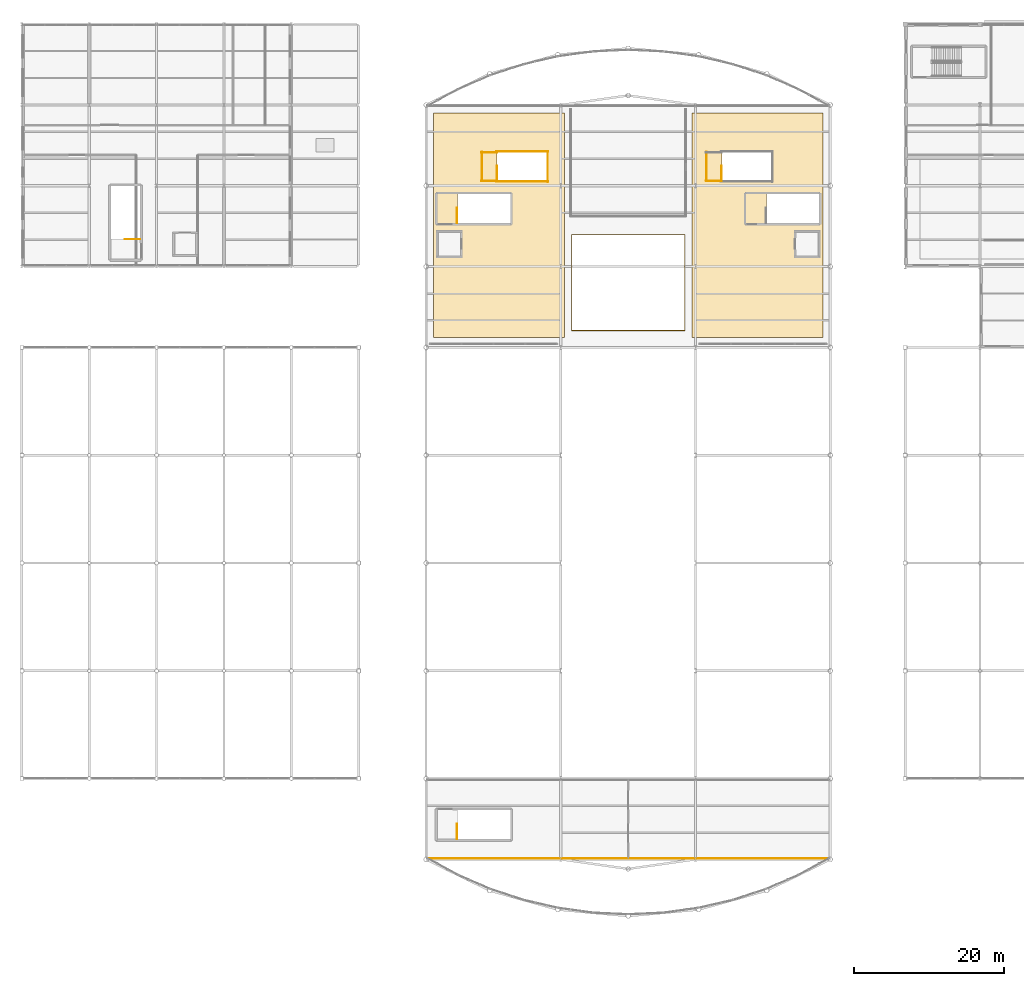
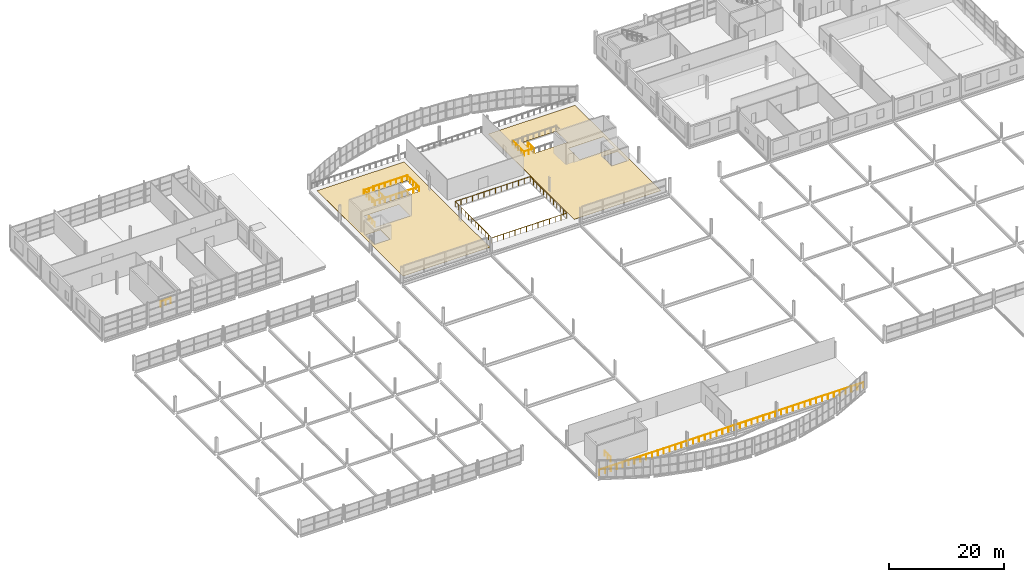
# One storey, part 128 of 134: 15 railings, 2 coverings.
"""IFC4 building model written with IfcOpenShell, lengths in metres."""

from ifc_helpers import new_model, si_unit, direction, frame, origin, origin_2d, place, context, subcontext, project, spatial, polyline, circle, outline, extrude, material, layer, layer_set, type_object, element, save


model = new_model("IFC4")

# Units and contexts
model_context = context("Model", 3, precision=1e-05, world=origin(), true_north=direction((0.0, 1.0)))
body_context = subcontext(model_context, "Body", "Model", "MODEL_VIEW")
ifc_project = project(units=[si_unit("LENGTHUNIT", "METRE"), si_unit("AREAUNIT", "SQUARE_METRE"), si_unit("VOLUMEUNIT", "CUBIC_METRE"), si_unit("PLANEANGLEUNIT", "RADIAN"), si_unit("MASSUNIT", "GRAM", prefix="KILO")], contexts=[model_context])

# Site, building, storey
site_placement = place(None, origin())
site = spatial("IfcSite", under=ifc_project, at=site_placement, CompositionType="ELEMENT")
building_placement = place(site_placement, origin())
building = spatial("IfcBuilding", under=site, at=building_placement, Name="Tamarisk Ironworks Central Station", CompositionType="ELEMENT")
storey_placement = place(building_placement, frame((0.0, 0.0, 12.60009765625)))
storey = spatial("IfcBuildingStorey", under=building, at=storey_placement, Name="L02", CompositionType="ELEMENT", Elevation=12.60009765625)

# Coverings
ifc_material_1 = material(Name="Granite tactile platform paving", Category="masonry")
ifc_layer = layer(ifc_material_1, 0.02490234375)
ifc_layer_set = layer_set([ifc_layer], Name="Granite tactile platform paving")
covering_type = type_object("IfcCoveringType", Name="COV-FLOOR-GR", PredefinedType="FLOORING", material=ifc_layer_set)
covering_1_placement = place(storey_placement, origin())
element("IfcCovering", 1, at=covering_1_placement, inside=storey, type_object=covering_type, Name="L02 granite/terrazzo floor finish 007", PredefinedType="FLOORING", context=body_context, shape_type="SweptSolid", body=[
    extrude(outline(polyline([(55.0, 80.5), (72.5, 80.5), (72.5, 110.5), (55.0, 110.5), (55.0, 80.5)]), holes=[polyline([(58.199951171875, 95.800048828125), (65.25, 95.800048828125), (65.25, 99.699951171875), (58.199951171875, 99.699951171875), (58.199951171875, 95.800048828125)]), polyline([(63.5, 101.39990234375), (70.199951171875, 101.39990234375), (70.199951171875, 105.300048828125), (63.5, 105.300048828125), (63.5, 101.39990234375)]), polyline([(55.60009765625, 91.39990234375), (58.60009765625, 91.39990234375), (58.60009765625, 94.60009765625), (55.60009765625, 94.60009765625), (55.60009765625, 91.39990234375)])]), origin(), (0.0, 0.0, 1.0), 0.02490234375),
])
covering_2_placement = place(storey_placement, origin())
element("IfcCovering", 2, at=covering_2_placement, inside=storey, type_object=covering_type, Name="L02 granite/terrazzo floor finish 008", PredefinedType="FLOORING", context=body_context, shape_type="SweptSolid", body=[
    extrude(outline(polyline([(89.5, 80.5), (107.0, 80.5), (107.0, 110.5), (89.5, 110.5), (89.5, 80.5)]), holes=[polyline([(99.449951171875, 95.800048828125), (106.5, 95.800048828125), (106.5, 99.699951171875), (99.449951171875, 99.699951171875), (99.449951171875, 95.800048828125)]), polyline([(93.5, 101.39990234375), (100.199951171875, 101.39990234375), (100.199951171875, 105.300048828125), (93.5, 105.300048828125), (93.5, 101.39990234375)]), polyline([(103.39990234375, 91.39990234375), (106.39990234375, 91.39990234375), (106.39990234375, 94.60009765625), (103.39990234375, 94.60009765625), (103.39990234375, 91.39990234375)])]), origin(), (0.0, 0.0, 1.0), 0.02490234375),
])

# Railings
ifc_material_2 = material(Name="Laminated solar-control low-E glass", Category="glass")
railing_type_1 = type_object("IfcRailingType", Name="RL-GUARD-GLASS", PredefinedType="BALUSTRADE", material=ifc_material_2)
railing_1_placement = place(storey_placement, frame((63.449951171875, 101.39990234375, 0.0)))
element("IfcRailing", 3, at=railing_1_placement, inside=storey, type_object=railing_type_1, Name="L02 ST-MZ1 top well guard 1", PredefinedType="BALUSTRADE", context=body_context, shape_type="SweptSolid", body=[
    extrude(circle(Radius=0.02392578125, at=origin_2d()), frame((0.0, 0.0, 1.076171875), z_axis=(0.0, 1.0, 0.0), x_axis=(-1.0, 0.0, 0.0)), (0.0, 0.0, 1.0), 2.050048828125),
    extrude(circle(Radius=0.02099609375, at=origin_2d()), origin(), (0.0, 0.0, 1.0), 1.052001953125),
    extrude(circle(Radius=0.02099609375, at=origin_2d()), frame((0.0, 1.02490234375, 0.0)), (0.0, 0.0, 1.0), 1.052001953125),
    extrude(circle(Radius=0.02099609375, at=origin_2d()), frame((0.0, 2.050048828125, 0.0)), (0.0, 0.0, 1.0), 1.052001953125),
])
for number, where, name in (
    (4, (63.39990234375, 101.35009765625, 0.0), "L02 ST-MZ1 top well guard 2"),
    (5, (63.39990234375, 105.35009765625, 0.0), "L02 ST-MZ1 top well guard 3"),
):
    element("IfcRailing", number, at=place(storey_placement, frame(where)), inside=storey, type_object=railing_type_1, Name=name, PredefinedType="BALUSTRADE", context=body_context, shape_type="SweptSolid", body=[
        extrude(circle(Radius=0.02392578125, at=origin_2d()), frame((0.0, 0.0, 1.076171875), z_axis=(1.0, 0.0, 0.0), x_axis=(0.0, 1.0, 0.0)), (0.0, 0.0, 1.0), 6.900146484375),
        extrude(circle(Radius=0.02099609375, at=origin_2d()), origin(), (0.0, 0.0, 1.0), 1.052001953125),
        extrude(circle(Radius=0.02099609375, at=origin_2d()), frame((1.14990234375, 0.0, 0.0)), (0.0, 0.0, 1.0), 1.052001953125),
        extrude(circle(Radius=0.02099609375, at=origin_2d()), frame((2.300048828125, 0.0, 0.0)), (0.0, 0.0, 1.0), 1.052001953125),
        extrude(circle(Radius=0.02099609375, at=origin_2d()), frame((3.4501953125, 0.0, 0.0)), (0.0, 0.0, 1.0), 1.052001953125),
        extrude(circle(Radius=0.02099609375, at=origin_2d()), frame((4.60009765625, 0.0, 0.0)), (0.0, 0.0, 1.0), 1.052001953125),
        extrude(circle(Radius=0.02099609375, at=origin_2d()), frame((5.75, 0.0, 0.0)), (0.0, 0.0, 1.0), 1.052001953125),
        extrude(circle(Radius=0.02099609375, at=origin_2d()), frame((6.900146484375, 0.0, 0.0)), (0.0, 0.0, 1.0), 1.052001953125),
    ])
railing_2_placement = place(storey_placement, frame((70.25, 101.300048828125, 0.0)))
element("IfcRailing", 6, at=railing_2_placement, inside=storey, type_object=railing_type_1, Name="L02 ST-MZ1 top well guard 4", PredefinedType="BALUSTRADE", context=body_context, shape_type="SweptSolid", body=[
    extrude(circle(Radius=0.02392578125, at=origin_2d()), frame((0.0, 0.0, 1.076171875), z_axis=(0.0, 1.0, 0.0), x_axis=(-1.0, 0.0, 0.0)), (0.0, 0.0, 1.0), 4.099853515625),
    extrude(circle(Radius=0.02099609375, at=origin_2d()), origin(), (0.0, 0.0, 1.0), 1.052001953125),
    extrude(circle(Radius=0.02099609375, at=origin_2d()), frame((0.0, 1.02490234375, 0.0)), (0.0, 0.0, 1.0), 1.052001953125),
    extrude(circle(Radius=0.02099609375, at=origin_2d()), frame((0.0, 2.0498046875, 0.0)), (0.0, 0.0, 1.0), 1.052001953125),
    extrude(circle(Radius=0.02099609375, at=origin_2d()), frame((0.0, 3.074951171875, 0.0)), (0.0, 0.0, 1.0), 1.052001953125),
    extrude(circle(Radius=0.02099609375, at=origin_2d()), frame((0.0, 4.099853515625, 0.0)), (0.0, 0.0, 1.0), 1.052001953125),
])
for number, where, name in (
    (7, (61.39990234375, 101.449951171875, 0.0), "L02 ST-MZ1 top well guard 5"),
    (8, (61.39990234375, 105.25, 0.0), "L02 ST-MZ1 top well guard 6"),
):
    element("IfcRailing", number, at=place(storey_placement, frame(where)), inside=storey, type_object=railing_type_1, Name=name, PredefinedType="BALUSTRADE", context=body_context, shape_type="SweptSolid", body=[
        extrude(circle(Radius=0.02392578125, at=origin_2d()), frame((0.0, 0.0, 1.076171875), z_axis=(1.0, 0.0, 0.0), x_axis=(0.0, 1.0, 0.0)), (0.0, 0.0, 1.0), 2.10009765625),
        extrude(circle(Radius=0.02099609375, at=origin_2d()), origin(), (0.0, 0.0, 1.0), 1.052001953125),
        extrude(circle(Radius=0.02099609375, at=origin_2d()), frame((1.050048828125, 0.0, 0.0)), (0.0, 0.0, 1.0), 1.052001953125),
        extrude(circle(Radius=0.02099609375, at=origin_2d()), frame((2.10009765625, 0.0, 0.0)), (0.0, 0.0, 1.0), 1.052001953125),
    ])
railing_3_placement = place(storey_placement, frame((61.449951171875, 101.39990234375, 0.0)))
element("IfcRailing", 9, at=railing_3_placement, inside=storey, type_object=railing_type_1, Name="L02 ST-MZ1 top well guard 7", PredefinedType="BALUSTRADE", context=body_context, shape_type="SweptSolid", body=[
    extrude(circle(Radius=0.02392578125, at=origin_2d()), frame((0.0, 0.0, 1.076171875), z_axis=(0.0, 1.0, 0.0), x_axis=(-1.0, 0.0, 0.0)), (0.0, 0.0, 1.0), 3.900146484375),
    extrude(circle(Radius=0.02099609375, at=origin_2d()), origin(), (0.0, 0.0, 1.0), 1.052001953125),
    extrude(circle(Radius=0.02099609375, at=origin_2d()), frame((0.0, 0.97509765625, 0.0)), (0.0, 0.0, 1.0), 1.052001953125),
    extrude(circle(Radius=0.02099609375, at=origin_2d()), frame((0.0, 1.9501953125, 0.0)), (0.0, 0.0, 1.0), 1.052001953125),
    extrude(circle(Radius=0.02099609375, at=origin_2d()), frame((0.0, 2.925048828125, 0.0)), (0.0, 0.0, 1.0), 1.052001953125),
    extrude(circle(Radius=0.02099609375, at=origin_2d()), frame((0.0, 3.900146484375, 0.0)), (0.0, 0.0, 1.0), 1.052001953125),
])
railing_4_placement = place(storey_placement, frame((93.449951171875, 101.39990234375, 0.0)))
element("IfcRailing", 10, at=railing_4_placement, inside=storey, type_object=railing_type_1, Name="L02 ST-MZ2 top well guard 1", PredefinedType="BALUSTRADE", context=body_context, shape_type="SweptSolid", body=[
    extrude(circle(Radius=0.02392578125, at=origin_2d()), frame((0.0, 0.0, 1.076171875), z_axis=(0.0, 1.0, 0.0), x_axis=(-1.0, 0.0, 0.0)), (0.0, 0.0, 1.0), 2.050048828125),
    extrude(circle(Radius=0.02099609375, at=origin_2d()), origin(), (0.0, 0.0, 1.0), 1.052001953125),
    extrude(circle(Radius=0.02099609375, at=origin_2d()), frame((0.0, 1.02490234375, 0.0)), (0.0, 0.0, 1.0), 1.052001953125),
    extrude(circle(Radius=0.02099609375, at=origin_2d()), frame((0.0, 2.050048828125, 0.0)), (0.0, 0.0, 1.0), 1.052001953125),
])
railing_5_placement = place(storey_placement, frame((91.39990234375, 101.449951171875, 0.0)))
element("IfcRailing", 11, at=railing_5_placement, inside=storey, type_object=railing_type_1, Name="L02 ST-MZ2 top well guard 5", PredefinedType="BALUSTRADE", context=body_context, shape_type="SweptSolid", body=[
    extrude(circle(Radius=0.02392578125, at=origin_2d()), frame((0.0, 0.0, 1.076171875), z_axis=(1.0, 0.0, 0.0), x_axis=(0.0, 1.0, 0.0)), (0.0, 0.0, 1.0), 2.10009765625),
    extrude(circle(Radius=0.02099609375, at=origin_2d()), origin(), (0.0, 0.0, 1.0), 1.052001953125),
    extrude(circle(Radius=0.02099609375, at=origin_2d()), frame((1.050048828125, 0.0, 0.0)), (0.0, 0.0, 1.0), 1.052001953125),
    extrude(circle(Radius=0.02099609375, at=origin_2d()), frame((2.10009765625, 0.0, 0.0)), (0.0, 0.0, 1.0), 1.052001953125),
])
railing_6_placement = place(storey_placement, frame((91.449951171875, 101.39990234375, 0.0)))
element("IfcRailing", 12, at=railing_6_placement, inside=storey, type_object=railing_type_1, Name="L02 ST-MZ2 top well guard 7", PredefinedType="BALUSTRADE", context=body_context, shape_type="SweptSolid", body=[
    extrude(circle(Radius=0.02392578125, at=origin_2d()), frame((0.0, 0.0, 1.076171875), z_axis=(0.0, 1.0, 0.0), x_axis=(-1.0, 0.0, 0.0)), (0.0, 0.0, 1.0), 3.900146484375),
    extrude(circle(Radius=0.02099609375, at=origin_2d()), origin(), (0.0, 0.0, 1.0), 1.052001953125),
    extrude(circle(Radius=0.02099609375, at=origin_2d()), frame((0.0, 0.97509765625, 0.0)), (0.0, 0.0, 1.0), 1.052001953125),
    extrude(circle(Radius=0.02099609375, at=origin_2d()), frame((0.0, 1.9501953125, 0.0)), (0.0, 0.0, 1.0), 1.052001953125),
    extrude(circle(Radius=0.02099609375, at=origin_2d()), frame((0.0, 2.925048828125, 0.0)), (0.0, 0.0, 1.0), 1.052001953125),
    extrude(circle(Radius=0.02099609375, at=origin_2d()), frame((0.0, 3.900146484375, 0.0)), (0.0, 0.0, 1.0), 1.052001953125),
])
railing_7_placement = place(storey_placement, frame((73.449951171875, 81.449951171875, 0.0)))
element("IfcRailing", 13, at=railing_7_placement, inside=storey, type_object=railing_type_1, Name="L02 mezzanine central atrium balustrade", PredefinedType="BALUSTRADE", context=body_context, shape_type="SweptSolid", body=[
    extrude(circle(Radius=0.02392578125, at=origin_2d()), frame((0.0, 0.0, 1.1259765625), z_axis=(1.0, 0.0, 0.0), x_axis=(0.0, 1.0, 0.0)), (0.0, 0.0, 1.0), 15.10009765625),
    extrude(circle(Radius=0.02392578125, at=origin_2d()), frame((15.10009765625, 0.0, 1.1259765625), z_axis=(0.0, 1.0, 0.0), x_axis=(-1.0, 0.0, 0.0)), (0.0, 0.0, 1.0), 12.800048828125),
    extrude(circle(Radius=0.02392578125, at=origin_2d()), frame((15.10009765625, 12.800048828125, 1.1259765625), z_axis=(-1.0, 0.0, 0.0), x_axis=(0.0, -1.0, 0.0)), (0.0, 0.0, 1.0), 15.10009765625),
    extrude(circle(Radius=0.02392578125, at=origin_2d()), frame((0.0, 12.800048828125, 1.1259765625), z_axis=(0.0, -1.0, 0.0), x_axis=(1.0, 0.0, 0.0)), (0.0, 0.0, 1.0), 12.800048828125),
    extrude(circle(Radius=0.02099609375, at=origin_2d()), origin(), (0.0, 0.0, 1.0), 1.101806640625),
    extrude(circle(Radius=0.02099609375, at=origin_2d()), frame((1.16162109375, 0.0, 0.0)), (0.0, 0.0, 1.0), 1.101806640625),
    extrude(circle(Radius=0.02099609375, at=origin_2d()), frame((2.322998046875, 0.0, 0.0)), (0.0, 0.0, 1.0), 1.101806640625),
    extrude(circle(Radius=0.02099609375, at=origin_2d()), frame((3.484619140625, 0.0, 0.0)), (0.0, 0.0, 1.0), 1.101806640625),
    extrude(circle(Radius=0.02099609375, at=origin_2d()), frame((4.646240234375, 0.0, 0.0)), (0.0, 0.0, 1.0), 1.101806640625),
    extrude(circle(Radius=0.02099609375, at=origin_2d()), frame((5.8076171875, 0.0, 0.0)), (0.0, 0.0, 1.0), 1.101806640625),
    extrude(circle(Radius=0.02099609375, at=origin_2d()), frame((6.96923828125, 0.0, 0.0)), (0.0, 0.0, 1.0), 1.101806640625),
    extrude(circle(Radius=0.02099609375, at=origin_2d()), frame((8.130859375, 0.0, 0.0)), (0.0, 0.0, 1.0), 1.101806640625),
    extrude(circle(Radius=0.02099609375, at=origin_2d()), frame((9.29248046875, 0.0, 0.0)), (0.0, 0.0, 1.0), 1.101806640625),
    extrude(circle(Radius=0.02099609375, at=origin_2d()), frame((10.453857421875, 0.0, 0.0)), (0.0, 0.0, 1.0), 1.101806640625),
    extrude(circle(Radius=0.02099609375, at=origin_2d()), frame((11.615478515625, 0.0, 0.0)), (0.0, 0.0, 1.0), 1.101806640625),
    extrude(circle(Radius=0.02099609375, at=origin_2d()), frame((12.777099609375, 0.0, 0.0)), (0.0, 0.0, 1.0), 1.101806640625),
    extrude(circle(Radius=0.02099609375, at=origin_2d()), frame((13.9384765625, 0.0, 0.0)), (0.0, 0.0, 1.0), 1.101806640625),
    extrude(circle(Radius=0.02099609375, at=origin_2d()), frame((15.10009765625, 0.0, 0.0)), (0.0, 0.0, 1.0), 1.101806640625),
    extrude(circle(Radius=0.02099609375, at=origin_2d()), frame((15.10009765625, 1.16357421875, 0.0)), (0.0, 0.0, 1.0), 1.101806640625),
    extrude(circle(Radius=0.02099609375, at=origin_2d()), frame((15.10009765625, 2.327392578125, 0.0)), (0.0, 0.0, 1.0), 1.101806640625),
    extrude(circle(Radius=0.02099609375, at=origin_2d()), frame((15.10009765625, 3.490966796875, 0.0)), (0.0, 0.0, 1.0), 1.101806640625),
    extrude(circle(Radius=0.02099609375, at=origin_2d()), frame((15.10009765625, 4.654541015625, 0.0)), (0.0, 0.0, 1.0), 1.101806640625),
    extrude(circle(Radius=0.02099609375, at=origin_2d()), frame((15.10009765625, 5.818115234375, 0.0)), (0.0, 0.0, 1.0), 1.101806640625),
    extrude(circle(Radius=0.02099609375, at=origin_2d()), frame((15.10009765625, 6.98193359375, 0.0)), (0.0, 0.0, 1.0), 1.101806640625),
    extrude(circle(Radius=0.02099609375, at=origin_2d()), frame((15.10009765625, 8.1455078125, 0.0)), (0.0, 0.0, 1.0), 1.101806640625),
    extrude(circle(Radius=0.02099609375, at=origin_2d()), frame((15.10009765625, 9.30908203125, 0.0)), (0.0, 0.0, 1.0), 1.101806640625),
    extrude(circle(Radius=0.02099609375, at=origin_2d()), frame((15.10009765625, 10.47265625, 0.0)), (0.0, 0.0, 1.0), 1.101806640625),
    extrude(circle(Radius=0.02099609375, at=origin_2d()), frame((15.10009765625, 11.636474609375, 0.0)), (0.0, 0.0, 1.0), 1.101806640625),
    extrude(circle(Radius=0.02099609375, at=origin_2d()), frame((15.10009765625, 12.800048828125, 0.0)), (0.0, 0.0, 1.0), 1.101806640625),
    extrude(circle(Radius=0.02099609375, at=origin_2d()), frame((13.9384765625, 12.800048828125, 0.0)), (0.0, 0.0, 1.0), 1.101806640625),
    extrude(circle(Radius=0.02099609375, at=origin_2d()), frame((12.777099609375, 12.800048828125, 0.0)), (0.0, 0.0, 1.0), 1.101806640625),
    extrude(circle(Radius=0.02099609375, at=origin_2d()), frame((11.615478515625, 12.800048828125, 0.0)), (0.0, 0.0, 1.0), 1.101806640625),
    extrude(circle(Radius=0.02099609375, at=origin_2d()), frame((10.453857421875, 12.800048828125, 0.0)), (0.0, 0.0, 1.0), 1.101806640625),
    extrude(circle(Radius=0.02099609375, at=origin_2d()), frame((9.29248046875, 12.800048828125, 0.0)), (0.0, 0.0, 1.0), 1.101806640625),
    extrude(circle(Radius=0.02099609375, at=origin_2d()), frame((8.130859375, 12.800048828125, 0.0)), (0.0, 0.0, 1.0), 1.101806640625),
    extrude(circle(Radius=0.02099609375, at=origin_2d()), frame((6.96923828125, 12.800048828125, 0.0)), (0.0, 0.0, 1.0), 1.101806640625),
    extrude(circle(Radius=0.02099609375, at=origin_2d()), frame((5.8076171875, 12.800048828125, 0.0)), (0.0, 0.0, 1.0), 1.101806640625),
    extrude(circle(Radius=0.02099609375, at=origin_2d()), frame((4.646240234375, 12.800048828125, 0.0)), (0.0, 0.0, 1.0), 1.101806640625),
    extrude(circle(Radius=0.02099609375, at=origin_2d()), frame((3.484619140625, 12.800048828125, 0.0)), (0.0, 0.0, 1.0), 1.101806640625),
    extrude(circle(Radius=0.02099609375, at=origin_2d()), frame((2.322998046875, 12.800048828125, 0.0)), (0.0, 0.0, 1.0), 1.101806640625),
    extrude(circle(Radius=0.02099609375, at=origin_2d()), frame((1.16162109375, 12.800048828125, 0.0)), (0.0, 0.0, 1.0), 1.101806640625),
    extrude(circle(Radius=0.02099609375, at=origin_2d()), frame((0.0, 12.800048828125, 0.0)), (0.0, 0.0, 1.0), 1.101806640625),
    extrude(circle(Radius=0.02099609375, at=origin_2d()), frame((0.0, 11.636474609375, 0.0)), (0.0, 0.0, 1.0), 1.101806640625),
    extrude(circle(Radius=0.02099609375, at=origin_2d()), frame((0.0, 10.47265625, 0.0)), (0.0, 0.0, 1.0), 1.101806640625),
    extrude(circle(Radius=0.02099609375, at=origin_2d()), frame((0.0, 9.30908203125, 0.0)), (0.0, 0.0, 1.0), 1.101806640625),
    extrude(circle(Radius=0.02099609375, at=origin_2d()), frame((0.0, 8.1455078125, 0.0)), (0.0, 0.0, 1.0), 1.101806640625),
    extrude(circle(Radius=0.02099609375, at=origin_2d()), frame((0.0, 6.98193359375, 0.0)), (0.0, 0.0, 1.0), 1.101806640625),
    extrude(circle(Radius=0.02099609375, at=origin_2d()), frame((0.0, 5.818115234375, 0.0)), (0.0, 0.0, 1.0), 1.101806640625),
    extrude(circle(Radius=0.02099609375, at=origin_2d()), frame((0.0, 4.654541015625, 0.0)), (0.0, 0.0, 1.0), 1.101806640625),
    extrude(circle(Radius=0.02099609375, at=origin_2d()), frame((0.0, 3.490966796875, 0.0)), (0.0, 0.0, 1.0), 1.101806640625),
    extrude(circle(Radius=0.02099609375, at=origin_2d()), frame((0.0, 2.327392578125, 0.0)), (0.0, 0.0, 1.0), 1.101806640625),
    extrude(circle(Radius=0.02099609375, at=origin_2d()), frame((0.0, 1.16357421875, 0.0)), (0.0, 0.0, 1.0), 1.101806640625),
])
railing_8_placement = place(storey_placement, frame((54.39990234375, 10.949951171875, 0.0)))
element("IfcRailing", 14, at=railing_8_placement, inside=storey, type_object=railing_type_1, Name="L02 south observation gallery overlook balustrade", PredefinedType="BALUSTRADE", context=body_context, shape_type="SweptSolid", body=[
    extrude(circle(Radius=0.02392578125, at=origin_2d()), frame((0.0, 0.0, 1.1259765625), z_axis=(1.0, 0.0, 0.0), x_axis=(0.0, 1.0, 0.0)), (0.0, 0.0, 1.0), 53.2001953125),
    extrude(circle(Radius=0.02099609375, at=origin_2d()), origin(), (0.0, 0.0, 1.0), 1.101806640625),
    extrude(circle(Radius=0.02099609375, at=origin_2d()), frame((1.18212890625, 0.0, 0.0)), (0.0, 0.0, 1.0), 1.101806640625),
    extrude(circle(Radius=0.02099609375, at=origin_2d()), frame((2.364501953125, 0.0, 0.0)), (0.0, 0.0, 1.0), 1.101806640625),
    extrude(circle(Radius=0.02099609375, at=origin_2d()), frame((3.546630859375, 0.0, 0.0)), (0.0, 0.0, 1.0), 1.101806640625),
    extrude(circle(Radius=0.02099609375, at=origin_2d()), frame((4.72900390625, 0.0, 0.0)), (0.0, 0.0, 1.0), 1.101806640625),
    extrude(circle(Radius=0.02099609375, at=origin_2d()), frame((5.9111328125, 0.0, 0.0)), (0.0, 0.0, 1.0), 1.101806640625),
    extrude(circle(Radius=0.02099609375, at=origin_2d()), frame((7.09326171875, 0.0, 0.0)), (0.0, 0.0, 1.0), 1.101806640625),
    extrude(circle(Radius=0.02099609375, at=origin_2d()), frame((8.275634765625, 0.0, 0.0)), (0.0, 0.0, 1.0), 1.101806640625),
    extrude(circle(Radius=0.02099609375, at=origin_2d()), frame((9.457763671875, 0.0, 0.0)), (0.0, 0.0, 1.0), 1.101806640625),
    extrude(circle(Radius=0.02099609375, at=origin_2d()), frame((10.64013671875, 0.0, 0.0)), (0.0, 0.0, 1.0), 1.101806640625),
    extrude(circle(Radius=0.02099609375, at=origin_2d()), frame((11.822265625, 0.0, 0.0)), (0.0, 0.0, 1.0), 1.101806640625),
    extrude(circle(Radius=0.02099609375, at=origin_2d()), frame((13.00439453125, 0.0, 0.0)), (0.0, 0.0, 1.0), 1.101806640625),
    extrude(circle(Radius=0.02099609375, at=origin_2d()), frame((14.186767578125, 0.0, 0.0)), (0.0, 0.0, 1.0), 1.101806640625),
    extrude(circle(Radius=0.02099609375, at=origin_2d()), frame((15.368896484375, 0.0, 0.0)), (0.0, 0.0, 1.0), 1.101806640625),
    extrude(circle(Radius=0.02099609375, at=origin_2d()), frame((16.55126953125, 0.0, 0.0)), (0.0, 0.0, 1.0), 1.101806640625),
    extrude(circle(Radius=0.02099609375, at=origin_2d()), frame((17.7333984375, 0.0, 0.0)), (0.0, 0.0, 1.0), 1.101806640625),
    extrude(circle(Radius=0.02099609375, at=origin_2d()), frame((18.91552734375, 0.0, 0.0)), (0.0, 0.0, 1.0), 1.101806640625),
    extrude(circle(Radius=0.02099609375, at=origin_2d()), frame((20.097900390625, 0.0, 0.0)), (0.0, 0.0, 1.0), 1.101806640625),
    extrude(circle(Radius=0.02099609375, at=origin_2d()), frame((21.280029296875, 0.0, 0.0)), (0.0, 0.0, 1.0), 1.101806640625),
    extrude(circle(Radius=0.02099609375, at=origin_2d()), frame((22.46240234375, 0.0, 0.0)), (0.0, 0.0, 1.0), 1.101806640625),
    extrude(circle(Radius=0.02099609375, at=origin_2d()), frame((23.64453125, 0.0, 0.0)), (0.0, 0.0, 1.0), 1.101806640625),
    extrude(circle(Radius=0.02099609375, at=origin_2d()), frame((24.82666015625, 0.0, 0.0)), (0.0, 0.0, 1.0), 1.101806640625),
    extrude(circle(Radius=0.02099609375, at=origin_2d()), frame((26.009033203125, 0.0, 0.0)), (0.0, 0.0, 1.0), 1.101806640625),
    extrude(circle(Radius=0.02099609375, at=origin_2d()), frame((27.191162109375, 0.0, 0.0)), (0.0, 0.0, 1.0), 1.101806640625),
    extrude(circle(Radius=0.02099609375, at=origin_2d()), frame((28.37353515625, 0.0, 0.0)), (0.0, 0.0, 1.0), 1.101806640625),
    extrude(circle(Radius=0.02099609375, at=origin_2d()), frame((29.5556640625, 0.0, 0.0)), (0.0, 0.0, 1.0), 1.101806640625),
    extrude(circle(Radius=0.02099609375, at=origin_2d()), frame((30.73779296875, 0.0, 0.0)), (0.0, 0.0, 1.0), 1.101806640625),
    extrude(circle(Radius=0.02099609375, at=origin_2d()), frame((31.920166015625, 0.0, 0.0)), (0.0, 0.0, 1.0), 1.101806640625),
    extrude(circle(Radius=0.02099609375, at=origin_2d()), frame((33.102294921875, 0.0, 0.0)), (0.0, 0.0, 1.0), 1.101806640625),
    extrude(circle(Radius=0.02099609375, at=origin_2d()), frame((34.28466796875, 0.0, 0.0)), (0.0, 0.0, 1.0), 1.101806640625),
    extrude(circle(Radius=0.02099609375, at=origin_2d()), frame((35.466796875, 0.0, 0.0)), (0.0, 0.0, 1.0), 1.101806640625),
    extrude(circle(Radius=0.02099609375, at=origin_2d()), frame((36.64892578125, 0.0, 0.0)), (0.0, 0.0, 1.0), 1.101806640625),
    extrude(circle(Radius=0.02099609375, at=origin_2d()), frame((37.831298828125, 0.0, 0.0)), (0.0, 0.0, 1.0), 1.101806640625),
    extrude(circle(Radius=0.02099609375, at=origin_2d()), frame((39.013427734375, 0.0, 0.0)), (0.0, 0.0, 1.0), 1.101806640625),
    extrude(circle(Radius=0.02099609375, at=origin_2d()), frame((40.19580078125, 0.0, 0.0)), (0.0, 0.0, 1.0), 1.101806640625),
    extrude(circle(Radius=0.02099609375, at=origin_2d()), frame((41.3779296875, 0.0, 0.0)), (0.0, 0.0, 1.0), 1.101806640625),
    extrude(circle(Radius=0.02099609375, at=origin_2d()), frame((42.56005859375, 0.0, 0.0)), (0.0, 0.0, 1.0), 1.101806640625),
    extrude(circle(Radius=0.02099609375, at=origin_2d()), frame((43.742431640625, 0.0, 0.0)), (0.0, 0.0, 1.0), 1.101806640625),
    extrude(circle(Radius=0.02099609375, at=origin_2d()), frame((44.924560546875, 0.0, 0.0)), (0.0, 0.0, 1.0), 1.101806640625),
    extrude(circle(Radius=0.02099609375, at=origin_2d()), frame((46.10693359375, 0.0, 0.0)), (0.0, 0.0, 1.0), 1.101806640625),
    extrude(circle(Radius=0.02099609375, at=origin_2d()), frame((47.2890625, 0.0, 0.0)), (0.0, 0.0, 1.0), 1.101806640625),
    extrude(circle(Radius=0.02099609375, at=origin_2d()), frame((48.47119140625, 0.0, 0.0)), (0.0, 0.0, 1.0), 1.101806640625),
    extrude(circle(Radius=0.02099609375, at=origin_2d()), frame((49.653564453125, 0.0, 0.0)), (0.0, 0.0, 1.0), 1.101806640625),
    extrude(circle(Radius=0.02099609375, at=origin_2d()), frame((50.835693359375, 0.0, 0.0)), (0.0, 0.0, 1.0), 1.101806640625),
    extrude(circle(Radius=0.02099609375, at=origin_2d()), frame((52.01806640625, 0.0, 0.0)), (0.0, 0.0, 1.0), 1.101806640625),
    extrude(circle(Radius=0.02099609375, at=origin_2d()), frame((53.2001953125, 0.0, 0.0)), (0.0, 0.0, 1.0), 1.101806640625),
])
ifc_material_3 = material(Name="Brushed stainless steel AISI 316", Category="steel")
railing_type_2 = type_object("IfcRailingType", Name="RL-GUARD-INT", PredefinedType="BALUSTRADE", material=ifc_material_3)
railing_9_placement = place(storey_placement, frame((58.14990234375, 95.800048828125, 0.0)))
element("IfcRailing", 15, at=railing_9_placement, inside=storey, type_object=railing_type_2, Name="L02 ST-C3 top well guard 1", PredefinedType="BALUSTRADE", context=body_context, shape_type="SweptSolid", body=[
    extrude(circle(Radius=0.02392578125, at=origin_2d()), frame((0.0, 0.0, 1.076171875), z_axis=(0.0, 1.0, 0.0), x_axis=(-1.0, 0.0, 0.0)), (0.0, 0.0, 1.0), 2.050048828125),
    extrude(circle(Radius=0.02099609375, at=origin_2d()), origin(), (0.0, 0.0, 1.0), 1.052001953125),
    extrude(circle(Radius=0.02099609375, at=origin_2d()), frame((0.0, 1.02490234375, 0.0)), (0.0, 0.0, 1.0), 1.052001953125),
    extrude(circle(Radius=0.02099609375, at=origin_2d()), frame((0.0, 2.050048828125, 0.0)), (0.0, 0.0, 1.0), 1.052001953125),
])
railing_10_placement = place(storey_placement, frame((15.800048828125, 93.64990234375, 0.0)))
element("IfcRailing", 16, at=railing_10_placement, inside=storey, type_object=railing_type_2, Name="L02 ST-C6 top well guard 1", PredefinedType="BALUSTRADE", context=body_context, shape_type="SweptSolid", body=[
    extrude(circle(Radius=0.02392578125, at=origin_2d()), frame((0.0, 0.0, 1.076171875), z_axis=(-1.0, 0.0, 0.0), x_axis=(0.0, -1.0, 0.0)), (0.0, 0.0, 1.0), 2.050048828125),
    extrude(circle(Radius=0.02099609375, at=origin_2d()), origin(), (0.0, 0.0, 1.0), 1.052001953125),
    extrude(circle(Radius=0.02099609375, at=origin_2d()), frame((-1.02490234375, 0.0, 0.0)), (0.0, 0.0, 1.0), 1.052001953125),
    extrude(circle(Radius=0.02099609375, at=origin_2d()), frame((-2.050048828125, 0.0, 0.0)), (0.0, 0.0, 1.0), 1.052001953125),
])
railing_11_placement = place(storey_placement, frame((58.14990234375, 13.5, 0.0)))
element("IfcRailing", 17, at=railing_11_placement, inside=storey, type_object=railing_type_2, Name="L02 ST-C8 top well guard 1", PredefinedType="BALUSTRADE", context=body_context, shape_type="SweptSolid", body=[
    extrude(circle(Radius=0.02392578125, at=origin_2d()), frame((0.0, 0.0, 1.076171875), z_axis=(0.0, 1.0, 0.0), x_axis=(-1.0, 0.0, 0.0)), (0.0, 0.0, 1.0), 2.050048828125),
    extrude(circle(Radius=0.02099609375, at=origin_2d()), origin(), (0.0, 0.0, 1.0), 1.052001953125),
    extrude(circle(Radius=0.02099609375, at=origin_2d()), frame((0.0, 1.02490234375, 0.0)), (0.0, 0.0, 1.0), 1.052001953125),
    extrude(circle(Radius=0.02099609375, at=origin_2d()), frame((0.0, 2.050048828125, 0.0)), (0.0, 0.0, 1.0), 1.052001953125),
])

save(model, "model.ifc")
